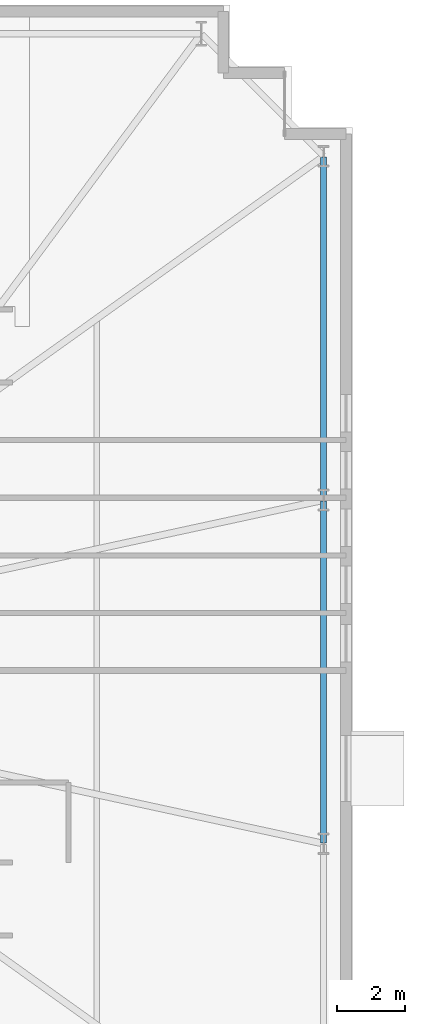
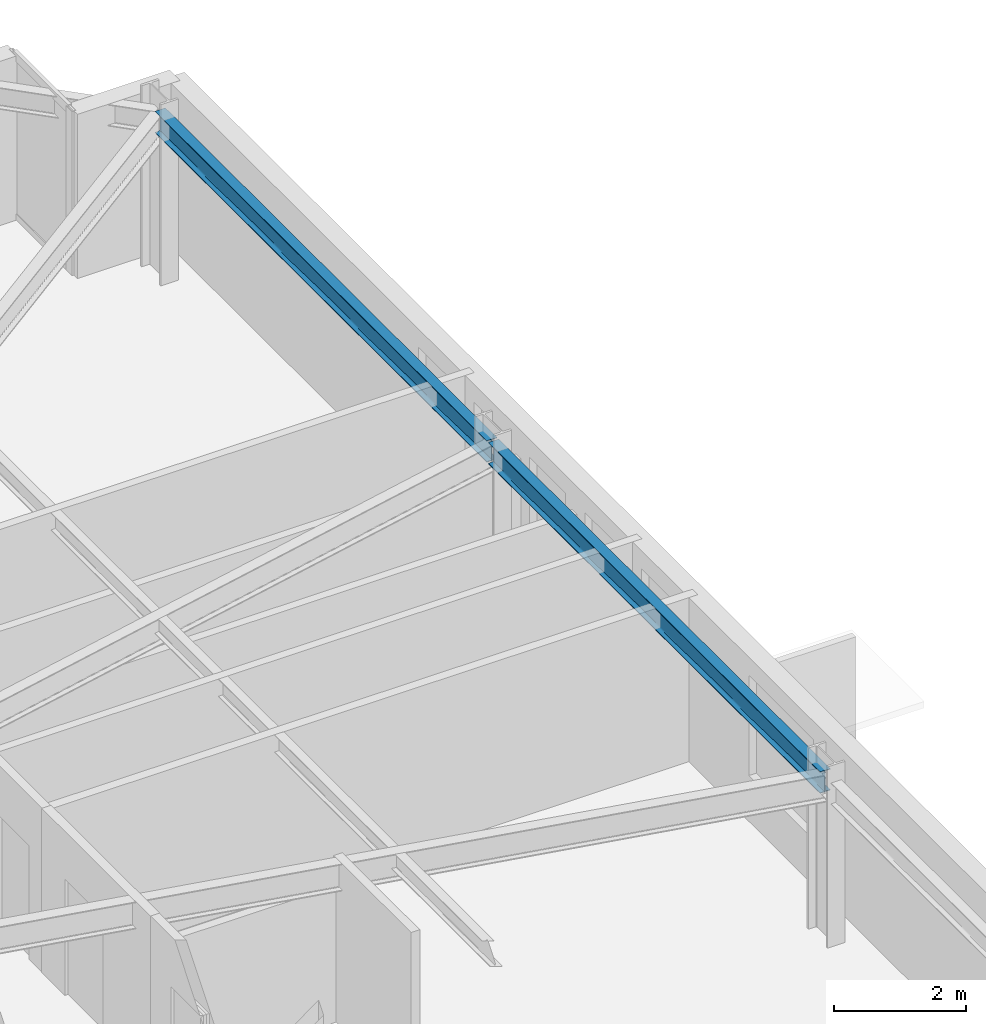
# One storey, part 15 of 26: 2 beams.
"""IFC4 building model written with IfcOpenShell, lengths in metres."""

from ifc_helpers import new_model, si_unit, direction, frame, origin, origin_2d, place, context, subcontext, project, spatial, i_section, extrude, material, material_profile, profile_set, type_object, element, save


model = new_model("IFC4")

# Units and contexts
model_context = context("Model", 3, precision=1e-05, world=origin(), true_north=direction((0.0, 1.0)))
body_context = subcontext(model_context, "Body", "Model", "MODEL_VIEW")
ifc_project = project(units=[si_unit("LENGTHUNIT", "METRE"), si_unit("AREAUNIT", "SQUARE_METRE"), si_unit("VOLUMEUNIT", "CUBIC_METRE"), si_unit("PLANEANGLEUNIT", "RADIAN"), si_unit("MASSUNIT", "GRAM", prefix="KILO")], contexts=[model_context])

# Site, building, storey
site_placement = place(None, origin())
site = spatial("IfcSite", under=ifc_project, at=site_placement, CompositionType="ELEMENT")
building_placement = place(site_placement, origin())
building = spatial("IfcBuilding", under=site, at=building_placement, Name="Qobustan Lattice House", CompositionType="ELEMENT")
storey_placement = place(building_placement, frame((0.0, 0.0, 47.10009765625)))
storey = spatial("IfcBuildingStorey", under=building, at=storey_placement, Name="L12", CompositionType="ELEMENT", Elevation=47.10009765625)

# Beams
ifc_material = material(Name="Steel S355", Category="steel")
ifc_material_profile = material_profile(ifc_material, i_section(OverallWidth=0.179931640625, OverallDepth=0.39990234375, WebThickness=0.008544921875, FlangeThickness=0.013427734375, FilletRadius=0.02099609375, at=origin_2d()), Name="IPE400")
ifc_profile_set = profile_set([ifc_material_profile], Name="Steel S355")
beam_type = type_object("IfcBeamType", Name="BM-SPD-IPE400", PredefinedType="SPANDREL", material=ifc_profile_set)
beam_1_placement = place(storey_placement, frame((32.14990234375, -5.02490234375, 2.8349609375), z_axis=(0.0, 1.0, 0.0), x_axis=(-1.0, 0.0, 0.0)))
element("IfcBeam", 1, at=beam_1_placement, inside=storey, type_object=beam_type, Name="L12 perimeter spandrel E2-E3", PredefinedType="SPANDREL", context=body_context, shape_type="SweptSolid", body=[
    extrude(i_section(OverallWidth=0.179931640625, OverallDepth=0.39990234375, WebThickness=0.008544921875, FlangeThickness=0.013427734375, FilletRadius=0.02099609375, at=origin_2d()), origin(), (0.0, 0.0, 1.0), 10.0498046875),
])
beam_2_placement = place(storey_placement, frame((32.14990234375, 5.074951171875, 2.8349609375), z_axis=(0.0, 1.0, 0.0), x_axis=(-1.0, 0.0, 0.0)))
element("IfcBeam", 2, at=beam_2_placement, inside=storey, type_object=beam_type, Name="L12 perimeter spandrel E3-E4", PredefinedType="SPANDREL", context=body_context, shape_type="SweptSolid", body=[
    extrude(i_section(OverallWidth=0.179931640625, OverallDepth=0.39990234375, WebThickness=0.008544921875, FlangeThickness=0.013427734375, FilletRadius=0.02099609375, at=origin_2d()), origin(), (0.0, 0.0, 1.0), 10.050048828125),
])

save(model, "model.ifc")
